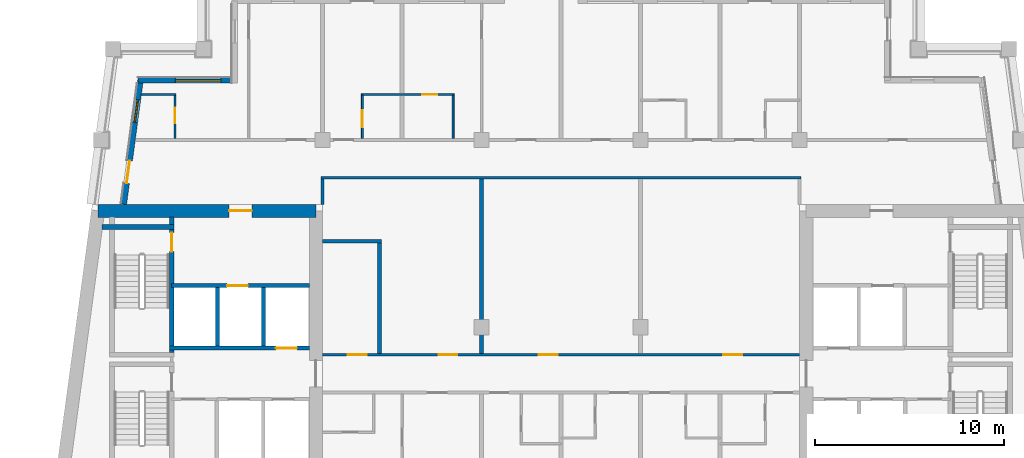
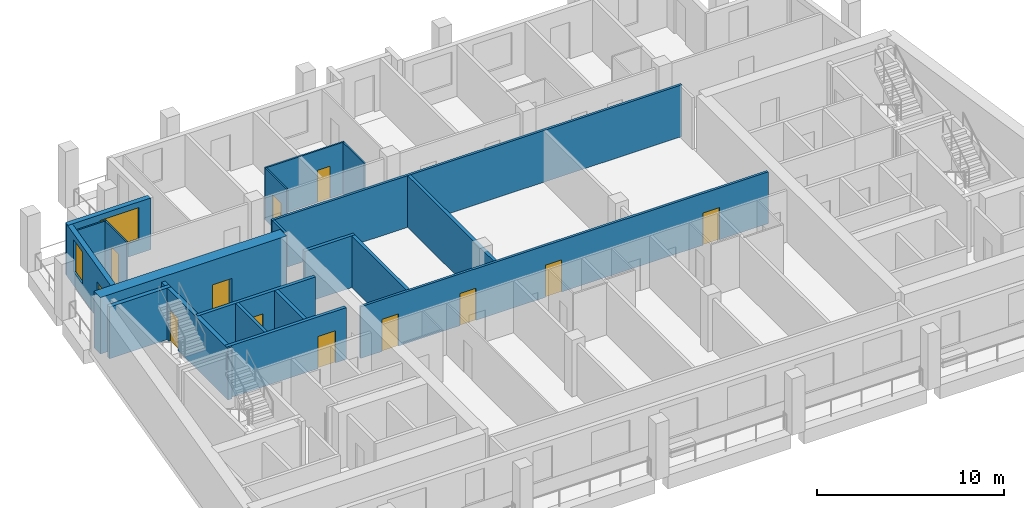
# One storey, part 4 of 14: 20 walls, 12 doors, 2 windows, 14 openings.
"""IFC4 building model written with IfcOpenShell, lengths in metres."""

from ifc_helpers import new_model, si_unit, direction, frame, frame_2d, origin, place, context, subcontext, project, spatial, rectangle, extrude, material, layer, layer_set, type_object, element, fill, save


model = new_model("IFC4")

# Units and contexts
model_context = context("Model", 3, precision=1e-05, world=origin(), true_north=direction((0.0, 1.0)))
body_context = subcontext(model_context, "Body", "Model", "MODEL_VIEW")
ifc_project = project(units=[si_unit("LENGTHUNIT", "METRE"), si_unit("AREAUNIT", "SQUARE_METRE"), si_unit("VOLUMEUNIT", "CUBIC_METRE"), si_unit("PLANEANGLEUNIT", "RADIAN"), si_unit("MASSUNIT", "GRAM", prefix="KILO")], contexts=[model_context])

# Site, building, storey
site_placement = place(None, origin())
site = spatial("IfcSite", under=ifc_project, at=site_placement, CompositionType="ELEMENT")
building_placement = place(site_placement, origin())
building = spatial("IfcBuilding", under=site, at=building_placement, Name="Candeia Pilgrim Tower and Theatre", CompositionType="ELEMENT")
storey_placement = place(building_placement, frame((0.0, 0.0, 273.800048828125)))
storey = spatial("IfcBuildingStorey", under=building, at=storey_placement, Name="L66", CompositionType="ELEMENT", Elevation=273.800048828125)

# Wall, opening, door
ifc_material_1 = material(Name="Concrete C40/50", Category="concrete")
ifc_layer_1 = layer(ifc_material_1, 0.699951171875)
ifc_layer_set_1 = layer_set([ifc_layer_1], Name="Core wall 700 C40/50")
wall_type_1 = type_object("IfcWallType", Name="Core wall 700 C40/50", PredefinedType="SHEAR", material=ifc_layer_set_1)
wall_1_placement = place(storey_placement, frame((88.936767578125, 132.050048828125, 0.0), z_axis=(0.0, 0.0, 1.0), x_axis=(1.0, 0.0, 0.0)))
wall_1 = element("IfcWall", 1, at=wall_1_placement, inside=storey, type_object=wall_type_1, Name="Core wall W1", PredefinedType="SHEAR", context=body_context, shape_type="SweptSolid", body=[
    extrude(rectangle(XDim=11.51318359375, YDim=0.699951171875, at=frame_2d((5.756591796875, 0.0))), origin(), (0.0, 0.0, 1.0), 3.699951171875),
])
opening_1_placement = place(wall_1_placement, frame((6.9267578125, 0.0, 0.0)))
opening_1 = element("IfcOpeningElement", 2, at=opening_1_placement, cuts=wall_1, Name="Opening L66-D048", PredefinedType="OPENING", context=body_context, shape_type="SweptSolid", body=[
    extrude(rectangle(XDim=1.199951171875, YDim=2.10009765625, at=frame_2d((0.60009765625, 1.050048828125))), frame((0.0, 0.35986328125, 0.0), z_axis=(0.0, -1.0, 0.0), x_axis=(1.0, 0.0, 0.0)), (0.0, 0.0, 1.0), 0.719970703125),
])
ifc_material_2 = material(Name="Steel fire door set", Category="steel")
door_type_1 = type_object("IfcDoorType", Name="D-1200-FD60", OperationType="NOTDEFINED", PredefinedType="DOOR", material=ifc_material_2)
door_1_placement = place(opening_1_placement, origin())
door_1 = element("IfcDoor", 3, at=door_1_placement, inside=storey, type_object=door_type_1, Name="Door L66-D048", OperationType="SINGLE_SWING_RIGHT", OverallHeight=2.10009765625, OverallWidth=1.199951171875, PredefinedType="DOOR", context=body_context, shape_type="SweptSolid", body=[
    extrude(rectangle(XDim=1.199951171875, YDim=2.10009765625, at=frame_2d((0.60009765625, 1.050048828125))), frame((0.0, 0.02490234375, 0.0), z_axis=(0.0, -1.0, 0.0), x_axis=(1.0, 0.0, 0.0)), (0.0, 0.0, 1.0), 0.050048828125),
])
fill(opening_1, door_1)

# Wall, openings, door, window
ifc_material_3 = material(Name="Ceramic block masonry", Category="masonry")
ifc_layer_2 = layer(ifc_material_3, 0.300048828125)
ifc_layer_set_2 = layer_set([ifc_layer_2], Name="EW1 glazing-line wall 300")
wall_type_2 = type_object("IfcWallType", Name="EW1 glazing-line wall 300", PredefinedType="SOLIDWALL", material=ifc_layer_set_2)
wall_2_placement = place(storey_placement, frame((91.177490234375, 138.949951171875, 0.0), z_axis=(0.0, 0.0, 1.0), x_axis=(-0.133426664613, -0.991058689065, 0.0)))
wall_2 = element("IfcWall", 4, at=wall_2_placement, inside=storey, type_object=wall_type_2, Name="External wall L66-0.0", PredefinedType="SOLIDWALL", context=body_context, shape_type="SweptSolid", body=[
    extrude(rectangle(XDim=6.609130859375, YDim=0.300048828125, at=frame_2d((3.3046875, 0.0))), origin(), (0.0, 0.0, 1.0), 3.3798828125),
])
opening_2_placement = place(wall_2_placement, frame((1.039306640625, 0.0, 0.89990234375)))
opening_2 = element("IfcOpeningElement", 5, at=opening_2_placement, cuts=wall_2, Name="Opening W-B", PredefinedType="OPENING", context=body_context, shape_type="SweptSolid", body=[
    extrude(rectangle(XDim=1.199951171875, YDim=2.10009765625, at=frame_2d((0.60009765625, 1.050048828125))), frame((0.0, 0.16015625, 0.0), z_axis=(0.0, -1.0, 0.0), x_axis=(1.0, 0.0, 0.0)), (0.0, 0.0, 1.0), 0.320068359375),
])
opening_3_placement = place(wall_2_placement, frame((4.293701171875, 0.0, 0.0)))
opening_3 = element("IfcOpeningElement", 6, at=opening_3_placement, cuts=wall_2, Name="Opening L66-ED621", PredefinedType="OPENING", context=body_context, shape_type="SweptSolid", body=[
    extrude(rectangle(XDim=1.199951171875, YDim=2.39990234375, at=frame_2d((0.60009765625, 1.199951171875))), frame((0.0, 0.16015625, 0.0), z_axis=(0.0, -1.0, 0.0), x_axis=(1.0, 0.0, 0.0)), (0.0, 0.0, 1.0), 0.320068359375),
])
ifc_material_4 = material(Name="Aluminium framed glazed door", Category="aluminium")
door_type_2 = type_object("IfcDoorType", Name="Loggia door 1200x2400", OperationType="DOUBLE_DOOR_SINGLE_SWING", PredefinedType="DOOR", material=ifc_material_4)
door_2_placement = place(opening_3_placement, origin())
door_2 = element("IfcDoor", 7, at=door_2_placement, inside=storey, type_object=door_type_2, Name="Loggia door L66-ED621", OperationType="DOUBLE_DOOR_SINGLE_SWING", OverallHeight=2.39990234375, OverallWidth=1.199951171875, PredefinedType="DOOR", context=body_context, shape_type="SweptSolid", body=[
    extrude(rectangle(XDim=1.199951171875, YDim=2.39990234375, at=frame_2d((0.60009765625, 1.199951171875))), frame((0.0, 0.02490234375, 0.0), z_axis=(0.0, -1.0, 0.0), x_axis=(1.0, 0.0, 0.0)), (0.0, 0.0, 1.0), 0.050048828125),
])
fill(opening_3, door_2)
ifc_material_5 = material(Name="Aluminium framed double glazing", Category="aluminium")
window_type_1 = type_object("IfcWindowType", Name="W-B window 1200x2100", PartitioningType="SINGLE_PANEL", PredefinedType="WINDOW", material=ifc_material_5)
window_1_placement = place(opening_2_placement, origin())
window_1 = element("IfcWindow", 8, at=window_1_placement, inside=storey, type_object=window_type_1, Name="Window W-B L66", OverallHeight=2.10009765625, OverallWidth=1.199951171875, PartitioningType="SINGLE_PANEL", PredefinedType="WINDOW", context=body_context, shape_type="SweptSolid", body=[
    extrude(rectangle(XDim=1.199951171875, YDim=2.10009765625, at=frame_2d((0.60009765625, 1.050048828125))), frame((0.0, 0.030029296875, 0.0), z_axis=(0.0, -1.0, 0.0), x_axis=(1.0, 0.0, 0.0)), (0.0, 0.0, 1.0), 0.06005859375),
])
fill(opening_2, window_1)

# Wall, opening, window
wall_3_placement = place(storey_placement, frame((96.14990234375, 138.949951171875, 0.0), z_axis=(0.0, 0.0, 1.0), x_axis=(-1.0, 0.0, 0.0)))
wall_3 = element("IfcWall", 9, at=wall_3_placement, inside=storey, type_object=wall_type_2, Name="External wall L66-7.0", PredefinedType="SOLIDWALL", context=body_context, shape_type="SweptSolid", body=[
    extrude(rectangle(XDim=5.103759765625, YDim=0.300048828125, at=frame_2d((2.5517578125, 0.0))), origin(), (0.0, 0.0, 1.0), 3.3798828125),
])
opening_4_placement = place(wall_3_placement, frame((0.72509765625, 0.0, 0.89990234375)))
opening_4 = element("IfcOpeningElement", 10, at=opening_4_placement, cuts=wall_3, Name="Opening W-A", PredefinedType="OPENING", context=body_context, shape_type="SweptSolid", body=[
    extrude(rectangle(XDim=2.39990234375, YDim=2.10009765625, at=frame_2d((1.199951171875, 1.050048828125))), frame((0.0, 0.16015625, 0.0), z_axis=(0.0, -1.0, 0.0), x_axis=(1.0, 0.0, 0.0)), (0.0, 0.0, 1.0), 0.320068359375),
])
window_type_2 = type_object("IfcWindowType", Name="W-A window 2400x2100", PartitioningType="DOUBLE_PANEL_VERTICAL", PredefinedType="WINDOW", material=ifc_material_5)
window_2_placement = place(opening_4_placement, origin())
window_2 = element("IfcWindow", 11, at=window_2_placement, inside=storey, type_object=window_type_2, Name="Window W-A L66", OverallHeight=2.10009765625, OverallWidth=2.39990234375, PartitioningType="SINGLE_PANEL", PredefinedType="WINDOW", context=body_context, shape_type="SweptSolid", body=[
    extrude(rectangle(XDim=2.39990234375, YDim=2.10009765625, at=frame_2d((1.199951171875, 1.050048828125))), frame((0.0, 0.030029296875, 0.0), z_axis=(0.0, -1.0, 0.0), x_axis=(1.0, 0.0, 0.0)), (0.0, 0.0, 1.0), 0.06005859375),
])
fill(opening_4, window_2)

# Wall
ifc_material_6 = material(Name="Gypsum board partition on steel studs", Category="steel")
ifc_layer_3 = layer(ifc_material_6, 0.10009765625)
ifc_layer_set_3 = layer_set([ifc_layer_3], Name="PW-100 room partition")
wall_type_3 = type_object("IfcWallType", Name="PW-100 room partition", PredefinedType="PARTITIONING", material=ifc_layer_set_3)
wall_4_placement = place(storey_placement, frame((91.2177734375, 138.199951171875, 0.0), z_axis=(0.0, 0.0, 1.0), x_axis=(1.0, 0.0, 0.0)))
element("IfcWall", 12, at=wall_4_placement, inside=storey, type_object=wall_type_3, Name="Room partition L66-042", PredefinedType="PARTITIONING", context=body_context, shape_type="SweptSolid", body=[
    extrude(rectangle(XDim=1.832275390625, YDim=0.10009765625, at=frame_2d((0.916015625, 0.0))), origin(), (0.0, 0.0, 1.0), 3.3798828125),
])

# Wall, opening, door
wall_5_placement = place(storey_placement, frame((102.85009765625, 138.199951171875, 0.0), z_axis=(0.0, 0.0, 1.0), x_axis=(1.0, 0.0, 0.0)))
wall_5 = element("IfcWall", 13, at=wall_5_placement, inside=storey, type_object=wall_type_3, Name="Room partition L66-043", PredefinedType="PARTITIONING", context=body_context, shape_type="SweptSolid", body=[
    extrude(rectangle(XDim=4.89990234375, YDim=0.10009765625, at=frame_2d((2.449951171875, 0.0))), origin(), (0.0, 0.0, 1.0), 3.3798828125),
])
opening_5_placement = place(wall_5_placement, frame((3.219970703125, 0.0, 0.0)))
opening_5 = element("IfcOpeningElement", 14, at=opening_5_placement, cuts=wall_5, Name="Opening L66-D035", PredefinedType="OPENING", context=body_context, shape_type="SweptSolid", body=[
    extrude(rectangle(XDim=0.800048828125, YDim=2.10009765625, at=frame_2d((0.39990234375, 1.050048828125))), frame((0.0, 0.06005859375, 0.0), z_axis=(0.0, -1.0, 0.0), x_axis=(1.0, 0.0, 0.0)), (0.0, 0.0, 1.0), 0.1201171875),
])
ifc_material_7 = material(Name="Timber door leaf", Category="wood")
door_type_3 = type_object("IfcDoorType", Name="D-800", OperationType="NOTDEFINED", PredefinedType="DOOR", material=ifc_material_7)
door_3_placement = place(opening_5_placement, origin())
door_3 = element("IfcDoor", 15, at=door_3_placement, inside=storey, type_object=door_type_3, Name="Door L66-D035", OperationType="SINGLE_SWING_LEFT", OverallHeight=2.10009765625, OverallWidth=0.800048828125, PredefinedType="DOOR", context=body_context, shape_type="SweptSolid", body=[
    extrude(rectangle(XDim=0.800048828125, YDim=2.10009765625, at=frame_2d((0.39990234375, 1.050048828125))), frame((0.0, 0.02490234375, 0.0), z_axis=(0.0, -1.0, 0.0), x_axis=(1.0, 0.0, 0.0)), (0.0, 0.0, 1.0), 0.050048828125),
])
fill(opening_5, door_3)

wall_6_placement = place(storey_placement, frame((93.0, 135.875, 0.0), z_axis=(0.0, 0.0, 1.0), x_axis=(0.0, 1.0, 0.0)))
wall_6 = element("IfcWall", 16, at=wall_6_placement, inside=storey, type_object=wall_type_3, Name="Room partition L66-053", PredefinedType="PARTITIONING", context=body_context, shape_type="SweptSolid", body=[
    extrude(rectangle(XDim=2.27490234375, YDim=0.10009765625, at=frame_2d((1.137451171875, 0.0))), origin(), (0.0, 0.0, 1.0), 3.3798828125),
])
opening_6_placement = place(wall_6_placement, frame((0.81494140625, 0.0, 0.0)))
opening_6 = element("IfcOpeningElement", 17, at=opening_6_placement, cuts=wall_6, Name="Opening L66-D030", PredefinedType="OPENING", context=body_context, shape_type="SweptSolid", body=[
    extrude(rectangle(XDim=0.800048828125, YDim=2.10009765625, at=frame_2d((0.39990234375, 1.050048828125))), frame((0.0, 0.06005859375, 0.0), z_axis=(0.0, -1.0, 0.0), x_axis=(1.0, 0.0, 0.0)), (0.0, 0.0, 1.0), 0.1201171875),
])
door_4_placement = place(opening_6_placement, origin())
door_4 = element("IfcDoor", 18, at=door_4_placement, inside=storey, type_object=door_type_3, Name="Door L66-D030", OperationType="SINGLE_SWING_RIGHT", OverallHeight=2.10009765625, OverallWidth=0.800048828125, PredefinedType="DOOR", context=body_context, shape_type="SweptSolid", body=[
    extrude(rectangle(XDim=0.800048828125, YDim=2.10009765625, at=frame_2d((0.39990234375, 1.050048828125))), frame((0.0, 0.02490234375, 0.0), z_axis=(0.0, -1.0, 0.0), x_axis=(1.0, 0.0, 0.0)), (0.0, 0.0, 1.0), 0.050048828125),
])
fill(opening_6, door_4)

wall_7_placement = place(storey_placement, frame((102.89990234375, 135.875, 0.0), z_axis=(0.0, 0.0, 1.0), x_axis=(0.0, 1.0, 0.0)))
wall_7 = element("IfcWall", 19, at=wall_7_placement, inside=storey, type_object=wall_type_3, Name="Room partition L66-064", PredefinedType="PARTITIONING", context=body_context, shape_type="SweptSolid", body=[
    extrude(rectangle(XDim=2.27490234375, YDim=0.10009765625, at=frame_2d((1.137451171875, 0.0))), origin(), (0.0, 0.0, 1.0), 3.3798828125),
])
opening_7_placement = place(wall_7_placement, frame((0.594970703125, 0.0, 0.0)))
opening_7 = element("IfcOpeningElement", 20, at=opening_7_placement, cuts=wall_7, Name="Opening L66-D032", PredefinedType="OPENING", context=body_context, shape_type="SweptSolid", body=[
    extrude(rectangle(XDim=0.89990234375, YDim=2.10009765625, at=frame_2d((0.449951171875, 1.050048828125))), frame((0.0, 0.06005859375, 0.0), z_axis=(0.0, -1.0, 0.0), x_axis=(1.0, 0.0, 0.0)), (0.0, 0.0, 1.0), 0.1201171875),
])
door_type_4 = type_object("IfcDoorType", Name="D-900", OperationType="NOTDEFINED", PredefinedType="DOOR", material=ifc_material_7)
door_5_placement = place(opening_7_placement, origin())
door_5 = element("IfcDoor", 21, at=door_5_placement, inside=storey, type_object=door_type_4, Name="Door L66-D032", OperationType="SINGLE_SWING_RIGHT", OverallHeight=2.10009765625, OverallWidth=0.89990234375, PredefinedType="DOOR", context=body_context, shape_type="SweptSolid", body=[
    extrude(rectangle(XDim=0.89990234375, YDim=2.10009765625, at=frame_2d((0.449951171875, 1.050048828125))), frame((0.0, 0.02490234375, 0.0), z_axis=(0.0, -1.0, 0.0), x_axis=(1.0, 0.0, 0.0)), (0.0, 0.0, 1.0), 0.050048828125),
])
fill(opening_7, door_5)

# Wall
wall_8_placement = place(storey_placement, frame((107.699951171875, 135.875, 0.0), z_axis=(0.0, 0.0, 1.0), x_axis=(0.0, 1.0, 0.0)))
element("IfcWall", 22, at=wall_8_placement, inside=storey, type_object=wall_type_3, Name="Room partition L66-069", PredefinedType="PARTITIONING", context=body_context, shape_type="SweptSolid", body=[
    extrude(rectangle(XDim=2.27490234375, YDim=0.10009765625, at=frame_2d((1.137451171875, 0.0))), origin(), (0.0, 0.0, 1.0), 3.3798828125),
])

# Wall, openings, doors
ifc_layer_4 = layer(ifc_material_6, 0.14990234375)
ifc_layer_set_4 = layer_set([ifc_layer_4], Name="PW-150 unit wall")
wall_type_4 = type_object("IfcWallType", Name="PW-150 unit wall", PredefinedType="PARTITIONING", material=ifc_layer_set_4)
wall_9_placement = place(storey_placement, frame((100.800048828125, 124.449951171875, 0.0), z_axis=(0.0, 0.0, 1.0), x_axis=(1.0, 0.0, 0.0)))
wall_9 = element("IfcWall", 23, at=wall_9_placement, inside=storey, type_object=wall_type_4, Name="Unit wall L66-028", PredefinedType="PARTITIONING", context=body_context, shape_type="SweptSolid", body=[
    extrude(rectangle(XDim=25.199951171875, YDim=0.14990234375, at=frame_2d((12.60009765625, 0.0))), origin(), (0.0, 0.0, 1.0), 3.3798828125),
])
opening_8_placement = place(wall_9_placement, frame((6.125, 0.0, 0.0)))
opening_8 = element("IfcOpeningElement", 24, at=opening_8_placement, cuts=wall_9, Name="Opening L66-D042", PredefinedType="OPENING", context=body_context, shape_type="SweptSolid", body=[
    extrude(rectangle(XDim=1.0, YDim=2.10009765625, at=frame_2d((0.5, 1.050048828125))), frame((0.0, 0.0849609375, 0.0), z_axis=(0.0, -1.0, 0.0), x_axis=(1.0, 0.0, 0.0)), (0.0, 0.0, 1.0), 0.169921875),
])
opening_9_placement = place(wall_9_placement, frame((1.324951171875, 0.0, 0.0)))
opening_9 = element("IfcOpeningElement", 25, at=opening_9_placement, cuts=wall_9, Name="Opening L66-D043", PredefinedType="OPENING", context=body_context, shape_type="SweptSolid", body=[
    extrude(rectangle(XDim=1.0, YDim=2.10009765625, at=frame_2d((0.5, 1.050048828125))), frame((0.0, 0.0849609375, 0.0), z_axis=(0.0, -1.0, 0.0), x_axis=(1.0, 0.0, 0.0)), (0.0, 0.0, 1.0), 0.169921875),
])
opening_10_placement = place(wall_9_placement, frame((11.429931640625, 0.0, 0.0)))
opening_10 = element("IfcOpeningElement", 26, at=opening_10_placement, cuts=wall_9, Name="Opening L66-D044", PredefinedType="OPENING", context=body_context, shape_type="SweptSolid", body=[
    extrude(rectangle(XDim=1.0, YDim=2.10009765625, at=frame_2d((0.5, 1.050048828125))), frame((0.0, 0.0849609375, 0.0), z_axis=(0.0, -1.0, 0.0), x_axis=(1.0, 0.0, 0.0)), (0.0, 0.0, 1.0), 0.169921875),
])
opening_11_placement = place(wall_9_placement, frame((21.169921875, 0.0, 0.0)))
opening_11 = element("IfcOpeningElement", 27, at=opening_11_placement, cuts=wall_9, Name="Opening L66-D045", PredefinedType="OPENING", context=body_context, shape_type="SweptSolid", body=[
    extrude(rectangle(XDim=1.0, YDim=2.10009765625, at=frame_2d((0.5, 1.050048828125))), frame((0.0, 0.0849609375, 0.0), z_axis=(0.0, -1.0, 0.0), x_axis=(1.0, 0.0, 0.0)), (0.0, 0.0, 1.0), 0.169921875),
])
door_type_5 = type_object("IfcDoorType", Name="D-1000-FD30S", OperationType="NOTDEFINED", PredefinedType="DOOR", material=ifc_material_2)
door_6_placement = place(opening_8_placement, origin())
door_6 = element("IfcDoor", 28, at=door_6_placement, inside=storey, type_object=door_type_5, Name="Door L66-D042", OperationType="SINGLE_SWING_RIGHT", OverallHeight=2.10009765625, OverallWidth=1.0, PredefinedType="DOOR", context=body_context, shape_type="SweptSolid", body=[
    extrude(rectangle(XDim=1.0, YDim=2.10009765625, at=frame_2d((0.5, 1.050048828125))), frame((0.0, 0.02490234375, 0.0), z_axis=(0.0, -1.0, 0.0), x_axis=(1.0, 0.0, 0.0)), (0.0, 0.0, 1.0), 0.050048828125),
])
fill(opening_8, door_6)
door_7_placement = place(opening_9_placement, origin())
door_7 = element("IfcDoor", 29, at=door_7_placement, inside=storey, type_object=door_type_5, Name="Door L66-D043", OperationType="SINGLE_SWING_LEFT", OverallHeight=2.10009765625, OverallWidth=1.0, PredefinedType="DOOR", context=body_context, shape_type="SweptSolid", body=[
    extrude(rectangle(XDim=1.0, YDim=2.10009765625, at=frame_2d((0.5, 1.050048828125))), frame((0.0, 0.02490234375, 0.0), z_axis=(0.0, -1.0, 0.0), x_axis=(1.0, 0.0, 0.0)), (0.0, 0.0, 1.0), 0.050048828125),
])
fill(opening_9, door_7)
door_8_placement = place(opening_10_placement, origin())
door_8 = element("IfcDoor", 30, at=door_8_placement, inside=storey, type_object=door_type_5, Name="Door L66-D044", OperationType="SINGLE_SWING_RIGHT", OverallHeight=2.10009765625, OverallWidth=1.0, PredefinedType="DOOR", context=body_context, shape_type="SweptSolid", body=[
    extrude(rectangle(XDim=1.0, YDim=2.10009765625, at=frame_2d((0.5, 1.050048828125))), frame((0.0, 0.02490234375, 0.0), z_axis=(0.0, -1.0, 0.0), x_axis=(1.0, 0.0, 0.0)), (0.0, 0.0, 1.0), 0.050048828125),
])
fill(opening_10, door_8)
door_9_placement = place(opening_11_placement, origin())
door_9 = element("IfcDoor", 31, at=door_9_placement, inside=storey, type_object=door_type_5, Name="Door L66-D045", OperationType="SINGLE_SWING_LEFT", OverallHeight=2.10009765625, OverallWidth=1.0, PredefinedType="DOOR", context=body_context, shape_type="SweptSolid", body=[
    extrude(rectangle(XDim=1.0, YDim=2.10009765625, at=frame_2d((0.5, 1.050048828125))), frame((0.0, 0.02490234375, 0.0), z_axis=(0.0, -1.0, 0.0), x_axis=(1.0, 0.0, 0.0)), (0.0, 0.0, 1.0), 0.050048828125),
])
fill(opening_11, door_9)

# Walls
wall_10_placement = place(storey_placement, frame((100.72509765625, 133.800048828125, 0.0), z_axis=(0.0, 0.0, 1.0), x_axis=(1.0, 0.0, 0.0)))
element("IfcWall", 32, at=wall_10_placement, inside=storey, type_object=wall_type_4, Name="Unit wall L66-038", PredefinedType="PARTITIONING", context=body_context, shape_type="SweptSolid", body=[
    extrude(rectangle(XDim=25.349853515625, YDim=0.14990234375, at=frame_2d((12.6748046875, 0.0))), origin(), (0.0, 0.0, 1.0), 3.3798828125),
])
wall_11_placement = place(storey_placement, frame((100.800048828125, 132.39990234375, 0.0), z_axis=(0.0, 0.0, 1.0), x_axis=(0.0, 1.0, 0.0)))
element("IfcWall", 33, at=wall_11_placement, inside=storey, type_object=wall_type_4, Name="Unit wall L66-063", PredefinedType="PARTITIONING", context=body_context, shape_type="SweptSolid", body=[
    extrude(rectangle(XDim=1.3251953125, YDim=0.14990234375, at=frame_2d((0.66259765625, 0.0))), origin(), (0.0, 0.0, 1.0), 3.3798828125),
])
ifc_layer_5 = layer(ifc_material_6, 0.199951171875)
ifc_layer_set_5 = layer_set([ifc_layer_5], Name="PW-200 party wall")
wall_type_5 = type_object("IfcWallType", Name="PW-200 party wall", PredefinedType="PARTITIONING", material=ifc_layer_set_5)
wall_12_placement = place(storey_placement, frame((100.800048828125, 130.449951171875, 0.0), z_axis=(0.0, 0.0, 1.0), x_axis=(1.0, 0.0, 0.0)))
element("IfcWall", 34, at=wall_12_placement, inside=storey, type_object=wall_type_5, Name="Party wall L66-035", PredefinedType="PARTITIONING", context=body_context, shape_type="SweptSolid", body=[
    extrude(rectangle(XDim=3.099853515625, YDim=0.199951171875, at=frame_2d((1.5498046875, 0.0))), origin(), (0.0, 0.0, 1.0), 3.3798828125),
])
wall_13_placement = place(storey_placement, frame((103.800048828125, 124.52490234375, 0.0), z_axis=(0.0, 0.0, 1.0), x_axis=(0.0, 1.0, 0.0)))
element("IfcWall", 35, at=wall_13_placement, inside=storey, type_object=wall_type_5, Name="Party wall L66-066", PredefinedType="PARTITIONING", context=body_context, shape_type="SweptSolid", body=[
    extrude(rectangle(XDim=5.8251953125, YDim=0.199951171875, at=frame_2d((2.91259765625, 0.0))), origin(), (0.0, 0.0, 1.0), 3.3798828125),
])
wall_14_placement = place(storey_placement, frame((109.199951171875, 124.52490234375, 0.0), z_axis=(0.0, 0.0, 1.0), x_axis=(0.0, 1.0, 0.0)))
element("IfcWall", 36, at=wall_14_placement, inside=storey, type_object=wall_type_5, Name="Party wall L66-072", PredefinedType="PARTITIONING", context=body_context, shape_type="SweptSolid", body=[
    extrude(rectangle(XDim=9.2001953125, YDim=0.199951171875, at=frame_2d((4.60009765625, 0.0))), origin(), (0.0, 0.0, 1.0), 3.3798828125),
])

# Wall, opening, door
ifc_layer_6 = layer(ifc_material_1, 0.199951171875)
ifc_layer_set_6 = layer_set([ifc_layer_6], Name="SW-200 shaft wall")
wall_type_6 = type_object("IfcWallType", Name="SW-200 shaft wall", PredefinedType="PARTITIONING", material=ifc_layer_set_6)
wall_15_placement = place(storey_placement, frame((92.701904296875, 124.800048828125, 0.0), z_axis=(0.0, 0.0, 1.0), x_axis=(1.0, 0.0, 0.0)))
wall_15 = element("IfcWall", 37, at=wall_15_placement, inside=storey, type_object=wall_type_6, Name="Shaft wall L66-029", PredefinedType="PARTITIONING", context=body_context, shape_type="SweptSolid", body=[
    extrude(rectangle(XDim=7.398193359375, YDim=0.199951171875, at=frame_2d((3.69921875, 0.0))), origin(), (0.0, 0.0, 1.0), 3.3798828125),
])
opening_12_placement = place(wall_15_placement, frame((5.635986328125, 0.0, 0.0)))
opening_12 = element("IfcOpeningElement", 38, at=opening_12_placement, cuts=wall_15, Name="Opening L66-LD04", PredefinedType="OPENING", context=body_context, shape_type="SweptSolid", body=[
    extrude(rectangle(XDim=1.10009765625, YDim=2.10009765625, at=frame_2d((0.550048828125, 1.050048828125))), frame((0.0, 0.10986328125, 0.0), z_axis=(0.0, -1.0, 0.0), x_axis=(1.0, 0.0, 0.0)), (0.0, 0.0, 1.0), 0.219970703125),
])
ifc_material_8 = material(Name="Glazed aluminium landing door", Category="aluminium")
door_type_6 = type_object("IfcDoorType", Name="LD-1100-EI120", OperationType="SLIDING_TO_LEFT", PredefinedType="DOOR", material=ifc_material_8)
door_10_placement = place(opening_12_placement, origin())
door_10 = element("IfcDoor", 39, at=door_10_placement, inside=storey, type_object=door_type_6, Name="Landing door 04 L66", OperationType="SLIDING_TO_LEFT", OverallHeight=2.10009765625, OverallWidth=1.10009765625, PredefinedType="DOOR", context=body_context, shape_type="SweptSolid", body=[
    extrude(rectangle(XDim=1.10009765625, YDim=2.10009765625, at=frame_2d((0.550048828125, 1.050048828125))), frame((0.0, 0.02490234375, 0.0), z_axis=(0.0, -1.0, 0.0), x_axis=(1.0, 0.0, 0.0)), (0.0, 0.0, 1.0), 0.050048828125),
])
fill(opening_12, door_10)

wall_16_placement = place(storey_placement, frame((92.826904296875, 128.10009765625, 0.0), z_axis=(0.0, 0.0, 1.0), x_axis=(1.0, 0.0, 0.0)))
wall_16 = element("IfcWall", 40, at=wall_16_placement, inside=storey, type_object=wall_type_6, Name="Shaft wall L66-032", PredefinedType="PARTITIONING", context=body_context, shape_type="SweptSolid", body=[
    extrude(rectangle(XDim=7.273193359375, YDim=0.199951171875, at=frame_2d((3.63671875, 0.0))), origin(), (0.0, 0.0, 1.0), 3.3798828125),
])
opening_13_placement = place(wall_16_placement, frame((2.929931640625, 0.0, 0.0)))
opening_13 = element("IfcOpeningElement", 41, at=opening_13_placement, cuts=wall_16, Name="Opening L66-LD03", PredefinedType="OPENING", context=body_context, shape_type="SweptSolid", body=[
    extrude(rectangle(XDim=1.10009765625, YDim=2.10009765625, at=frame_2d((0.550048828125, 1.050048828125))), frame((0.0, 0.10986328125, 0.0), z_axis=(0.0, -1.0, 0.0), x_axis=(1.0, 0.0, 0.0)), (0.0, 0.0, 1.0), 0.219970703125),
])
door_11_placement = place(opening_13_placement, origin())
door_11 = element("IfcDoor", 42, at=door_11_placement, inside=storey, type_object=door_type_6, Name="Landing door 03 L66", OperationType="SLIDING_TO_LEFT", OverallHeight=2.10009765625, OverallWidth=1.10009765625, PredefinedType="DOOR", context=body_context, shape_type="SweptSolid", body=[
    extrude(rectangle(XDim=1.10009765625, YDim=2.10009765625, at=frame_2d((0.550048828125, 1.050048828125))), frame((0.0, 0.02490234375, 0.0), z_axis=(0.0, -1.0, 0.0), x_axis=(1.0, 0.0, 0.0)), (0.0, 0.0, 1.0), 0.050048828125),
])
fill(opening_13, door_11)

# Walls
for number, where, z_axis, x_axis, name in (
    (43, (95.251220703125, 124.89990234375, 0.0), (0.0, 0.0, 1.0), (0.0, 1.0, 0.0), "Shaft wall L66-056"),
    (44, (97.67578125, 124.89990234375, 0.0), (0.0, 0.0, 1.0), (0.0, 1.0, 0.0), "Shaft wall L66-060"),
):
    element("IfcWall", number, at=place(storey_placement, frame(where, z_axis=z_axis, x_axis=x_axis)), inside=storey, type_object=wall_type_6, Name=name, PredefinedType="PARTITIONING", context=body_context, shape_type="SweptSolid", body=[
        extrude(rectangle(XDim=3.10009765625, YDim=0.199951171875, at=frame_2d((1.550048828125, 0.0))), origin(), (0.0, 0.0, 1.0), 3.3798828125),
    ])
ifc_layer_7 = layer(ifc_material_1, 0.25)
ifc_layer_set_7 = layer_set([ifc_layer_7], Name="SW-250 stair wall")
wall_type_7 = type_object("IfcWallType", Name="SW-250 stair wall", PredefinedType="PARTITIONING", material=ifc_layer_set_7)
wall_17_placement = place(storey_placement, frame((89.1455078125, 131.199951171875, 0.0), z_axis=(0.0, 0.0, 1.0), x_axis=(1.0, 0.0, 0.0)))
element("IfcWall", 45, at=wall_17_placement, inside=storey, type_object=wall_type_7, Name="Stair wall L66-036", PredefinedType="PARTITIONING", context=body_context, shape_type="SweptSolid", body=[
    extrude(rectangle(XDim=3.806396484375, YDim=0.25, at=frame_2d((1.9033203125, 0.0))), origin(), (0.0, 0.0, 1.0), 3.3798828125),
])

# Wall, opening, door
wall_18_placement = place(storey_placement, frame((92.826904296875, 124.574951171875, 0.0), z_axis=(0.0, 0.0, 1.0), x_axis=(0.0, 1.0, 0.0)))
wall_18 = element("IfcWall", 46, at=wall_18_placement, inside=storey, type_object=wall_type_7, Name="Stair wall L66-052", PredefinedType="PARTITIONING", context=body_context, shape_type="SweptSolid", body=[
    extrude(rectangle(XDim=7.155029296875, YDim=0.25, at=frame_2d((3.57763671875, 0.0))), origin(), (0.0, 0.0, 1.0), 3.3798828125),
])
opening_14_placement = place(wall_18_placement, frame((5.324951171875, 0.0, 0.0)))
opening_14 = element("IfcOpeningElement", 47, at=opening_14_placement, cuts=wall_18, Name="Opening L66-D003", PredefinedType="OPENING", context=body_context, shape_type="SweptSolid", body=[
    extrude(rectangle(XDim=1.0, YDim=2.10009765625, at=frame_2d((0.5, 1.050048828125))), frame((0.0, 0.135009765625, 0.0), z_axis=(0.0, -1.0, 0.0), x_axis=(1.0, 0.0, 0.0)), (0.0, 0.0, 1.0), 0.27001953125),
])
door_type_7 = type_object("IfcDoorType", Name="D-1000-FD60", OperationType="NOTDEFINED", PredefinedType="DOOR", material=ifc_material_2)
door_12_placement = place(opening_14_placement, origin())
door_12 = element("IfcDoor", 48, at=door_12_placement, inside=storey, type_object=door_type_7, Name="Door L66-D003", OperationType="SINGLE_SWING_LEFT", OverallHeight=2.10009765625, OverallWidth=1.0, PredefinedType="DOOR", context=body_context, shape_type="SweptSolid", body=[
    extrude(rectangle(XDim=1.0, YDim=2.10009765625, at=frame_2d((0.5, 1.050048828125))), frame((0.0, 0.02490234375, 0.0), z_axis=(0.0, -1.0, 0.0), x_axis=(1.0, 0.0, 0.0)), (0.0, 0.0, 1.0), 0.050048828125),
])
fill(opening_14, door_12)

save(model, "model.ifc")
